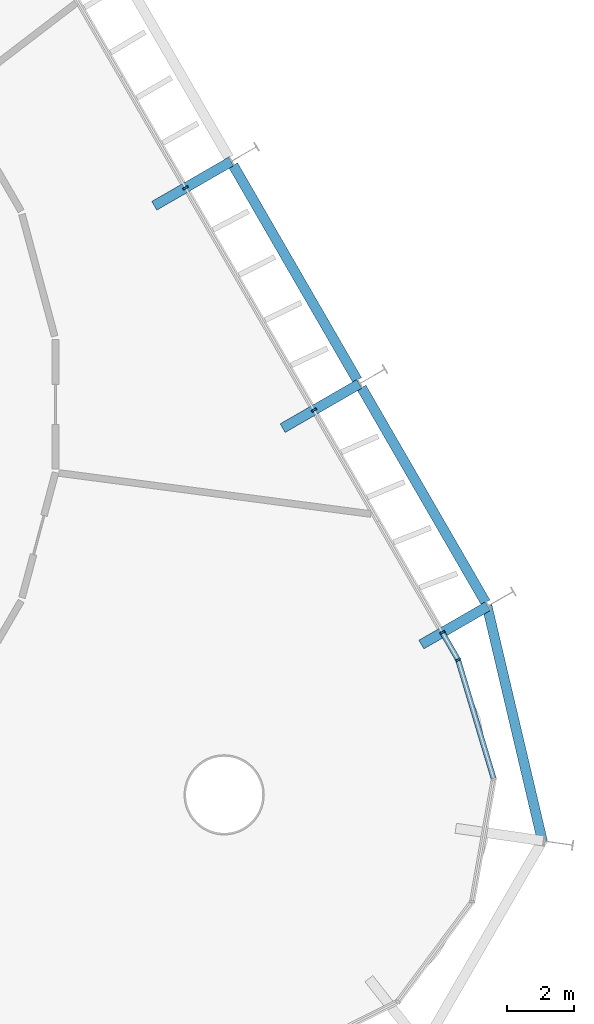
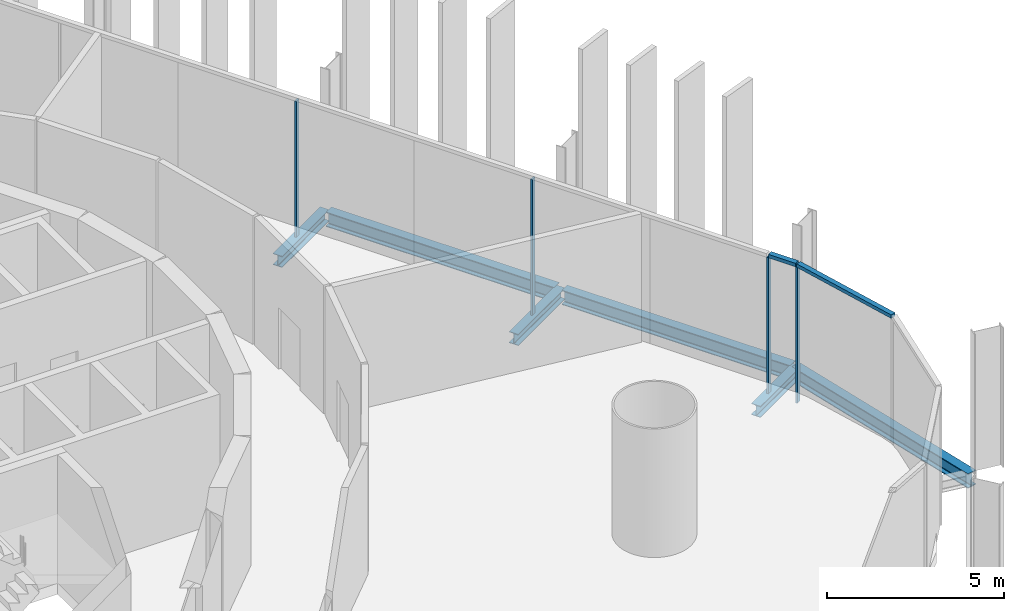
# One storey, part 8 of 18: 6 beams, 6 members, 2 elements without a shape of their own.
"""IFC4 building model written with IfcOpenShell, lengths in metres."""

from ifc_helpers import new_model, si_unit, direction, frame, origin, origin_2d, place, context, subcontext, project, spatial, rectangle, i_section, extrude, material, layer, layer_set, material_profile, profile_set, type_object, element, aggregate, save


model = new_model("IFC4")

# Units and contexts
model_context = context("Model", 3, precision=1e-05, world=origin(), true_north=direction((0.0, 1.0)))
body_context = subcontext(model_context, "Body", "Model", "MODEL_VIEW")
ifc_project = project(units=[si_unit("LENGTHUNIT", "METRE"), si_unit("AREAUNIT", "SQUARE_METRE"), si_unit("VOLUMEUNIT", "CUBIC_METRE"), si_unit("PLANEANGLEUNIT", "RADIAN"), si_unit("MASSUNIT", "GRAM", prefix="KILO")], contexts=[model_context])

# Site, building, storey
site_placement = place(None, origin())
site = spatial("IfcSite", under=ifc_project, at=site_placement, CompositionType="ELEMENT")
building_placement = place(site_placement, origin())
building = spatial("IfcBuilding", under=site, at=building_placement, Name="Spindle Arch Residences", CompositionType="ELEMENT")
storey_placement = place(building_placement, frame((0.0, 0.0, 9.0)))
storey = spatial("IfcBuildingStorey", under=building, at=storey_placement, Name="L01", CompositionType="ELEMENT", Elevation=9.0)

# Curtain wall, member
ifc_material_1 = material(Name="Aluminium bronze unitised frame with tinted glass", Category="aluminium")
ifc_layer_1 = layer(ifc_material_1, 0.159912109375)
ifc_layer_set_1 = layer_set([ifc_layer_1], Name="CW-D corner wall on the fillet arcs")
curtain_wall_type_1 = type_object("IfcCurtainWallType", Name="CW-D corner wall on the fillet arcs", PredefinedType="NOTDEFINED", material=ifc_layer_set_1)
curtain_wall_1_placement = place(storey_placement, origin())
curtain_wall_1 = element("IfcCurtainWall", 1, at=curtain_wall_1_placement, inside=storey, type_object=curtain_wall_type_1, Name="CW-D L01 run 1", PredefinedType="NOTDEFINED")
ifc_material_2 = material(Name="Aluminium bronze anodised mullion", Category="aluminium")
ifc_material_profile_1 = material_profile(ifc_material_2, rectangle(XDim=0.159912109375, YDim=0.06005859375, at=origin_2d()), Name="MU 60x160")
ifc_profile_set_1 = profile_set([ifc_material_profile_1], Name="Aluminium bronze anodised mullion")
member_type_1 = type_object("IfcMemberType", Name="Bronze mullion 60x160", PredefinedType="MULLION", material=ifc_profile_set_1)
member_1_placement = place(storey_placement, frame((27.14111328125, -7.58984375, -0.3798828125), z_axis=(0.0, 0.0, 1.0), x_axis=(-0.866025403784, -0.5, 0.0)))
member_1 = element("IfcMember", 2, at=member_1_placement, type_object=member_type_1, Name="CW-D mullion 05", PredefinedType="MULLION", context=body_context, shape_type="SweptSolid", body=[
    extrude(rectangle(XDim=0.159912109375, YDim=0.06005859375, at=origin_2d()), origin(), (0.0, 0.0, 1.0), 4.679931640625),
])

# Curtain wall, members
ifc_material_3 = material(Name="Aluminium bronze unitised frame with tinted glass", Category="aluminium")
ifc_layer_2 = layer(ifc_material_3, 0.159912109375)
ifc_layer_set_2 = layer_set([ifc_layer_2], Name="CW-B amenity podium glazed wall")
curtain_wall_type_2 = type_object("IfcCurtainWallType", Name="CW-B amenity podium glazed wall", PredefinedType="NOTDEFINED", material=ifc_layer_set_2)
curtain_wall_2_placement = place(storey_placement, origin())
curtain_wall_2 = element("IfcCurtainWall", 3, at=curtain_wall_2_placement, inside=storey, type_object=curtain_wall_type_2, Name="CW-B L01 run 2", PredefinedType="NOTDEFINED")
member_2_placement = place(storey_placement, frame((26.66943359375, -6.77294921875, -0.3798828125), z_axis=(0.0, 0.0, 1.0), x_axis=(-0.866025403784, -0.5, 0.0)))
member_2 = element("IfcMember", 4, at=member_2_placement, type_object=member_type_1, Name="CW-B mullion 05", PredefinedType="MULLION", context=body_context, shape_type="SweptSolid", body=[
    extrude(rectangle(XDim=0.159912109375, YDim=0.06005859375, at=origin_2d()), origin(), (0.0, 0.0, 1.0), 4.679931640625),
])
member_3_placement = place(storey_placement, frame((22.829345703125, -0.121826171875, -0.3798828125), z_axis=(0.0, 0.0, 1.0), x_axis=(-0.866025403784, -0.5, 0.0)))
member_3 = element("IfcMember", 5, at=member_3_placement, type_object=member_type_1, Name="CW-B mullion 06", PredefinedType="MULLION", context=body_context, shape_type="SweptSolid", body=[
    extrude(rectangle(XDim=0.159912109375, YDim=0.06005859375, at=origin_2d()), origin(), (0.0, 0.0, 1.0), 4.679931640625),
])
member_4_placement = place(storey_placement, frame((18.9892578125, 6.529296875, -0.3798828125), z_axis=(0.0, 0.0, 1.0), x_axis=(-0.866025403784, -0.5, 0.0)))
member_4 = element("IfcMember", 6, at=member_4_placement, type_object=member_type_1, Name="CW-B mullion 07", PredefinedType="MULLION", context=body_context, shape_type="SweptSolid", body=[
    extrude(rectangle(XDim=0.159912109375, YDim=0.06005859375, at=origin_2d()), origin(), (0.0, 0.0, 1.0), 4.679931640625),
])
aggregate(curtain_wall_2, [member_2, member_3, member_4])

# Member
ifc_material_4 = material(Name="Aluminium bronze anodised transom", Category="aluminium")
ifc_material_profile_2 = material_profile(ifc_material_4, rectangle(XDim=0.159912109375, YDim=0.1201171875, at=origin_2d()), Name="TR 120x160")
ifc_profile_set_2 = profile_set([ifc_material_profile_2], Name="Aluminium bronze anodised transom")
member_type_2 = type_object("IfcMemberType", Name="Bronze transom 120x160", PredefinedType="USERDEFINED", material=ifc_profile_set_2)
member_5_placement = place(storey_placement, frame((28.201416015625, -11.13134765625, 4.360107421875), z_axis=(-0.286834736274, 0.957980080203, 0.0), x_axis=(-0.957980080203, -0.286834736274, 0.0)))
member_5 = element("IfcMember", 7, at=member_5_placement, type_object=member_type_2, Name="CW-D transom 04", ObjectType="TRANSOM", PredefinedType="USERDEFINED", context=body_context, shape_type="SweptSolid", body=[
    extrude(rectangle(XDim=0.159912109375, YDim=0.1201171875, at=origin_2d()), origin(), (0.0, 0.0, 1.0), 3.666748046875),
])

member_6_placement = place(storey_placement, frame((27.1259765625, -7.56396484375, 4.360107421875), z_axis=(-0.499913830031, 0.866075148324, 0.0), x_axis=(-0.866075148324, -0.499913830031, 0.0)))
member_6 = element("IfcMember", 8, at=member_6_placement, type_object=member_type_2, Name="CW-D transom 05", ObjectType="TRANSOM", PredefinedType="USERDEFINED", context=body_context, shape_type="SweptSolid", body=[
    extrude(rectangle(XDim=0.159912109375, YDim=0.1201171875, at=origin_2d()), origin(), (0.0, 0.0, 1.0), 0.883544921875),
])

aggregate(curtain_wall_1, [member_5, member_1, member_6])

# Beams
ifc_material_5 = material(Name="Steel S460ML, intumescent coating R 120", Category="steel")
ifc_material_profile_3 = material_profile(ifc_material_5, i_section(OverallWidth=0.300048828125, OverallDepth=0.5, WebThickness=0.014404296875, FlangeThickness=0.028076171875, FilletRadius=0.027099609375, at=origin_2d()), Name="HEB 500")
ifc_profile_set_3 = profile_set([ifc_material_profile_3], Name="Steel S460ML, intumescent coating R 120")
beam_type_1 = type_object("IfcBeamType", Name="Exoskeleton edge beam HEB 500", PredefinedType="BEAM", material=ifc_profile_set_3)
beam_1_placement = place(storey_placement, frame((29.668212890625, -13.03173828125, -0.6298828125), z_axis=(-0.229185730541, 0.973382710406, 0.0), x_axis=(-0.973382710406, -0.229185730541, 0.0)))
element("IfcBeam", 9, at=beam_1_placement, inside=storey, type_object=beam_type_1, Name="Exoskeleton edge beam 5", PredefinedType="BEAM", context=body_context, shape_type="SweptSolid", body=[
    extrude(i_section(OverallWidth=0.300048828125, OverallDepth=0.5, WebThickness=0.014404296875, FlangeThickness=0.028076171875, FilletRadius=0.027099609375, at=origin_2d()), origin(), (0.0, 0.0, 1.0), 7.25),
])
beam_2_placement = place(storey_placement, frame((27.964111328125, -5.875244140625, -0.6298828125), z_axis=(-0.50002815445, 0.866009148195, 0.0), x_axis=(-0.866009148195, -0.50002815445, 0.0)))
element("IfcBeam", 10, at=beam_2_placement, inside=storey, type_object=beam_type_1, Name="Exoskeleton edge beam 6", PredefinedType="BEAM", context=body_context, shape_type="SweptSolid", body=[
    extrude(i_section(OverallWidth=0.300048828125, OverallDepth=0.5, WebThickness=0.014404296875, FlangeThickness=0.028076171875, FilletRadius=0.027099609375, at=origin_2d()), origin(), (0.0, 0.0, 1.0), 7.419921875),
])
beam_3_placement = place(storey_placement, frame((24.1240234375, 0.77587890625, -0.6298828125), z_axis=(-0.49998923004, 0.866031621735, 0.0), x_axis=(-0.866031621735, -0.49998923004, 0.0)))
element("IfcBeam", 11, at=beam_3_placement, inside=storey, type_object=beam_type_1, Name="Exoskeleton edge beam 7", PredefinedType="BEAM", context=body_context, shape_type="SweptSolid", body=[
    extrude(i_section(OverallWidth=0.300048828125, OverallDepth=0.5, WebThickness=0.014404296875, FlangeThickness=0.028076171875, FilletRadius=0.027099609375, at=origin_2d()), origin(), (0.0, 0.0, 1.0), 7.420166015625),
])
ifc_material_6 = material(Name="Steel S460ML, intumescent coating R 120", Category="steel")
ifc_material_profile_4 = material_profile(ifc_material_6, i_section(OverallWidth=0.300048828125, OverallDepth=0.389892578125, WebThickness=0.010986328125, FlangeThickness=0.01904296875, FilletRadius=0.027099609375, at=origin_2d()), Name="HEA 400")
ifc_profile_set_4 = profile_set([ifc_material_profile_4], Name="Steel S460ML, intumescent coating R 120")
beam_type_2 = type_object("IfcBeamType", Name="Floor outrigger HEA 400", PredefinedType="BEAM", material=ifc_profile_set_4)
beam_4_placement = place(storey_placement, frame((28.029052734375, -5.98779296875, -0.574951171875), z_axis=(-0.866001280077, -0.50004178116, 0.0), x_axis=(0.50004178116, -0.866001280077, 0.0)))
element("IfcBeam", 12, at=beam_4_placement, inside=storey, type_object=beam_type_2, Name="Floor outrigger 6", PredefinedType="BEAM", context=body_context, shape_type="SweptSolid", body=[
    extrude(i_section(OverallWidth=0.300048828125, OverallDepth=0.389892578125, WebThickness=0.010986328125, FlangeThickness=0.01904296875, FilletRadius=0.027099609375, at=origin_2d()), origin(), (0.0, 0.0, 1.0), 2.294189453125),
])
beam_5_placement = place(storey_placement, frame((24.18896484375, 0.6630859375, -0.574951171875), z_axis=(-0.866029095148, -0.499993606316, 0.0), x_axis=(0.499993606316, -0.866029095148, 0.0)))
element("IfcBeam", 13, at=beam_5_placement, inside=storey, type_object=beam_type_2, Name="Floor outrigger 7", PredefinedType="BEAM", context=body_context, shape_type="SweptSolid", body=[
    extrude(i_section(OverallWidth=0.300048828125, OverallDepth=0.389892578125, WebThickness=0.010986328125, FlangeThickness=0.01904296875, FilletRadius=0.027099609375, at=origin_2d()), origin(), (0.0, 0.0, 1.0), 2.64990234375),
])
beam_6_placement = place(storey_placement, frame((20.34912109375, 7.314453125, -0.574951171875), z_axis=(-0.866052124492, -0.499953715521, 0.0), x_axis=(0.499953715521, -0.866052124492, 0.0)))
element("IfcBeam", 14, at=beam_6_placement, inside=storey, type_object=beam_type_2, Name="Floor outrigger 8", PredefinedType="BEAM", context=body_context, shape_type="SweptSolid", body=[
    extrude(i_section(OverallWidth=0.300048828125, OverallDepth=0.389892578125, WebThickness=0.010986328125, FlangeThickness=0.01904296875, FilletRadius=0.027099609375, at=origin_2d()), origin(), (0.0, 0.0, 1.0), 2.650146484375),
])

save(model, "model.ifc")
